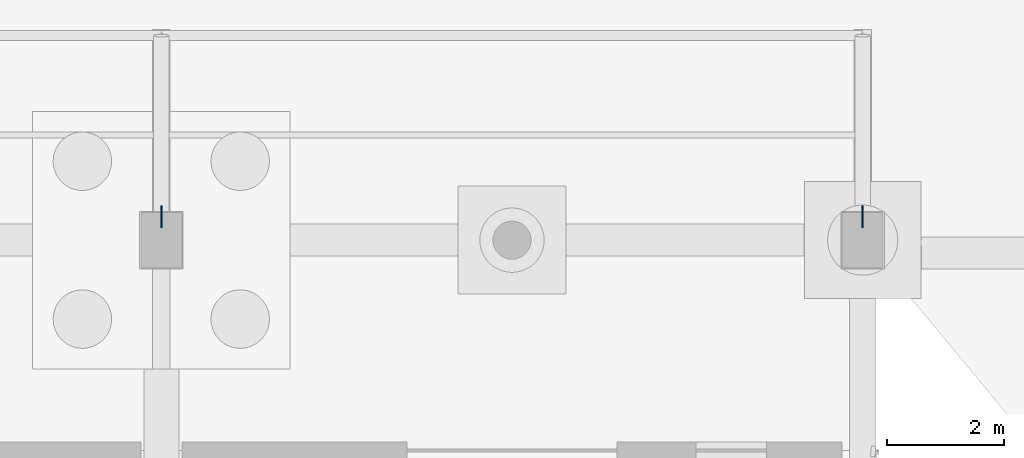
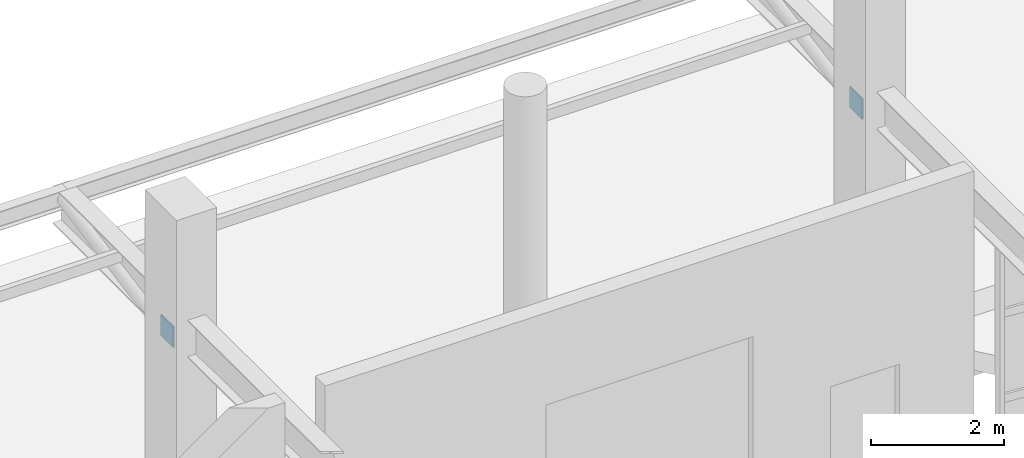
# One storey, part 80 of 117: 2 plates.
"""IFC4 building model written with IfcOpenShell, lengths in metres."""

from ifc_helpers import new_model, si_unit, direction, frame, origin, origin_2d, place, context, subcontext, project, spatial, rectangle, extrude, material, layer, layer_set, type_object, element, save


model = new_model("IFC4")

# Units and contexts
model_context = context("Model", 3, precision=1e-05, world=origin(), true_north=direction((0.0, 1.0)))
body_context = subcontext(model_context, "Body", "Model", "MODEL_VIEW")
ifc_project = project(units=[si_unit("LENGTHUNIT", "METRE"), si_unit("AREAUNIT", "SQUARE_METRE"), si_unit("VOLUMEUNIT", "CUBIC_METRE"), si_unit("PLANEANGLEUNIT", "RADIAN"), si_unit("MASSUNIT", "GRAM", prefix="KILO")], contexts=[model_context])

# Site, building, storey
site_placement = place(None, origin())
site = spatial("IfcSite", under=ifc_project, at=site_placement, CompositionType="ELEMENT")
building_placement = place(site_placement, origin())
building = spatial("IfcBuilding", under=site, at=building_placement, Name="Kamomehara Wholesale Market", CompositionType="ELEMENT")
storey_placement = place(building_placement, origin())
storey = spatial("IfcBuildingStorey", under=building, at=storey_placement, Name="L00", CompositionType="ELEMENT", Elevation=0.0)

# Plates
ifc_material = material(Name="Steel SN490B", Category="steel")
ifc_layer = layer(ifc_material, 0.02490234375)
ifc_layer_set = layer_set([ifc_layer], Name="Steel SN490B")
plate_type = type_object("IfcPlateType", Name="PLT-GUS-25", PredefinedType="USERDEFINED", material=ifc_layer_set)
for number, where, z_axis, x_axis, name in (
    (1, (168.0, 156.39990234375, 3.72998046875), (0.0, 0.0, 1.0), (1.0, 0.0, 0.0), "Canopy gusset plate V1 168"),
    (2, (180.0, 156.39990234375, 3.72998046875), (0.0, 0.0, 1.0), (1.0, 0.0, 0.0), "Canopy gusset plate V1 180"),
):
    element("IfcPlate", number, at=place(storey_placement, frame(where, z_axis=z_axis, x_axis=x_axis)), inside=storey, type_object=plate_type, Name=name, ObjectType="GUSSET PLATE", PredefinedType="USERDEFINED", context=body_context, shape_type="SweptSolid", body=[
        extrude(rectangle(XDim=0.02490234375, YDim=0.3798828125, at=origin_2d()), origin(), (0.0, 0.0, 1.0), 0.3798828125),
    ])

save(model, "model.ifc")
